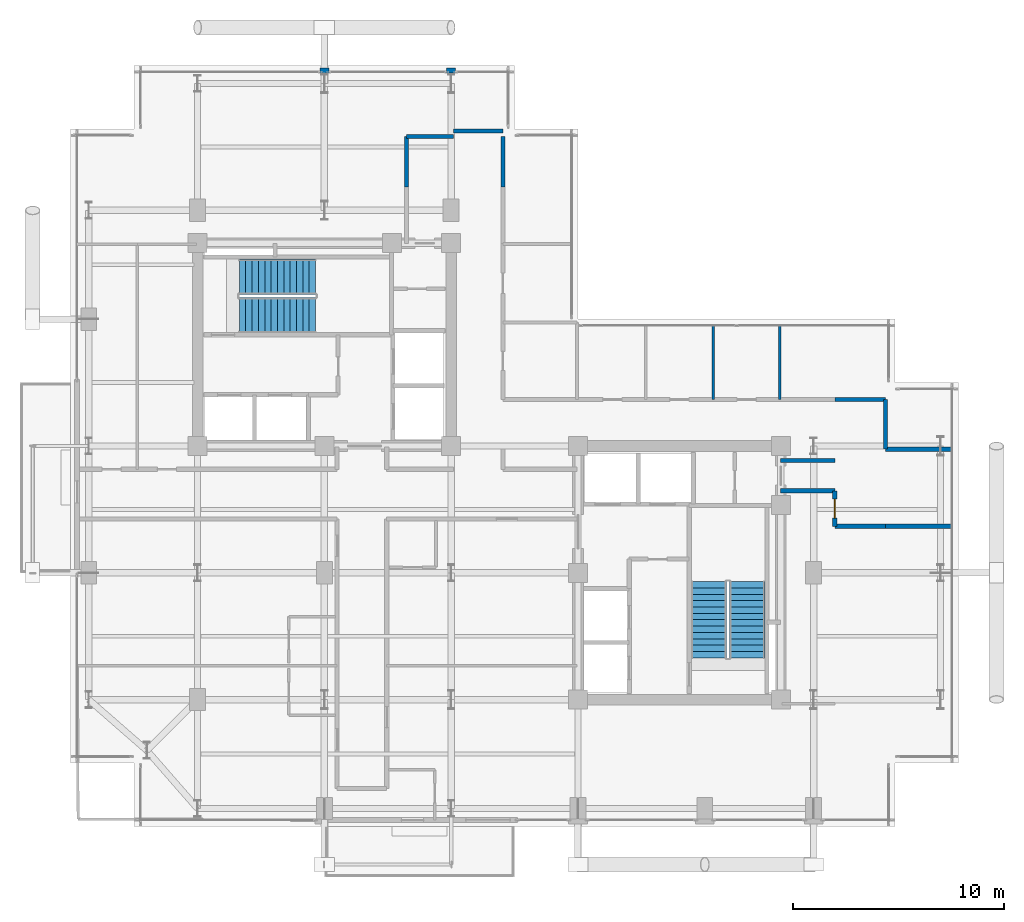
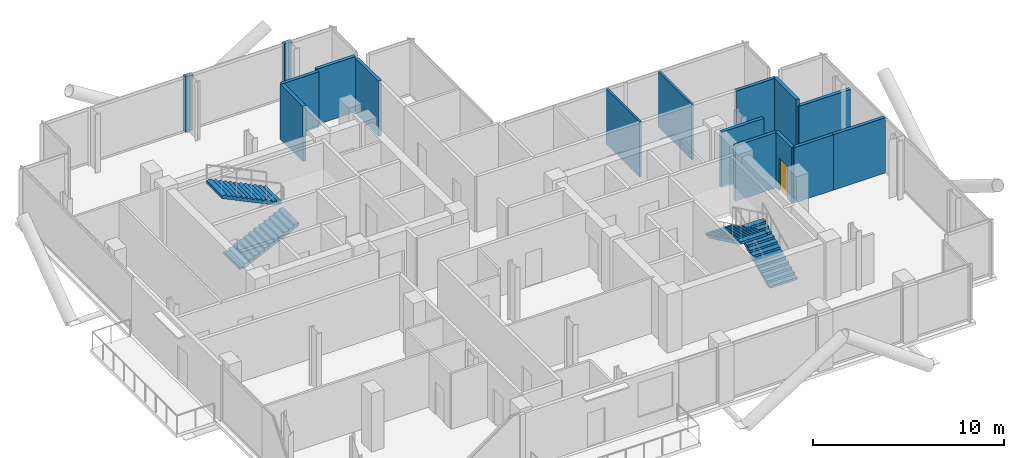
# One storey, part 19 of 21: 16 walls, 4 stair flights, 1 door, 1 opening, 2 elements without a shape of their own.
"""IFC4 building model written with IfcOpenShell, lengths in metres."""

from ifc_helpers import new_model, si_unit, direction, frame, frame_2d, origin, place, context, subcontext, project, spatial, polyline, rectangle, outline, extrude, material, layer, layer_set, type_object, element, fill, aggregate, save


model = new_model("IFC4")

# Units and contexts
model_context = context("Model", 3, precision=1e-05, world=origin(), true_north=direction((0.0, 1.0)))
body_context = subcontext(model_context, "Body", "Model", "MODEL_VIEW")
ifc_project = project(units=[si_unit("LENGTHUNIT", "METRE"), si_unit("AREAUNIT", "SQUARE_METRE"), si_unit("VOLUMEUNIT", "CUBIC_METRE"), si_unit("PLANEANGLEUNIT", "RADIAN"), si_unit("MASSUNIT", "GRAM", prefix="KILO"), si_unit("THERMODYNAMICTEMPERATUREUNIT", "KELVIN"), si_unit("POWERUNIT", "WATT")], contexts=[model_context])

# Site, building, storey
site_placement = place(None, origin())
site = spatial("IfcSite", under=ifc_project, at=site_placement, CompositionType="ELEMENT")
building_placement = place(site_placement, origin())
building = spatial("IfcBuilding", under=site, at=building_placement, Name="Svarakhadi Broadcast Tower", CompositionType="ELEMENT")
storey_placement = place(building_placement, frame((0.0, 0.0, 208.64990234375)))
storey = spatial("IfcBuildingStorey", under=building, at=storey_placement, Name="L51", CompositionType="ELEMENT", Elevation=208.64990234375)

# Walls
ifc_material_1 = material(Name="Double-Stud Acoustic Studio Partition STC-62", Category="gypsum")
ifc_layer_1 = layer(ifc_material_1, 0.199951171875)
ifc_layer_set_1 = layer_set([ifc_layer_1], Name="Double-Stud Acoustic Studio Partition STC-62")
wall_type_1 = type_object("IfcWallType", Name="Wall_Acoust_200", PredefinedType="PARTITIONING", material=ifc_layer_set_1)
wall_1_placement = place(storey_placement, frame((15.8798828125, 30.25, 0.0), z_axis=(0.0, 0.0, 1.0), x_axis=(0.0, 1.0, 0.0)))
element("IfcWall", 1, at=wall_1_placement, inside=storey, type_object=wall_type_1, Name="L51 Upper Tower Concourse Wall", PredefinedType="PARTITIONING", context=body_context, shape_type="SweptSolid", body=[
    extrude(rectangle(XDim=2.39990234375, YDim=0.199951171875, at=frame_2d((1.199951171875, 0.0))), origin(), (0.0, 0.0, 1.0), 3.5400390625),
])
wall_2_placement = place(storey_placement, frame((15.8798828125, 32.64990234375, 0.0), z_axis=(0.0, 0.0, 1.0), x_axis=(1.0, 0.0, 0.0)))
element("IfcWall", 2, at=wall_2_placement, inside=storey, type_object=wall_type_1, Name="L51 Upper Tower Concourse Wall", PredefinedType="PARTITIONING", context=body_context, shape_type="SweptSolid", body=[
    extrude(rectangle(XDim=2.22021484375, YDim=0.199951171875, at=frame_2d((1.110107421875, 0.0))), origin(), (0.0, 0.0, 1.0), 3.5400390625),
])
wall_3_placement = place(storey_placement, frame((18.10009765625, 32.89990234375, 0.0), z_axis=(0.0, 0.0, 1.0), x_axis=(1.0, 0.0, 0.0)))
element("IfcWall", 3, at=wall_3_placement, inside=storey, type_object=wall_type_1, Name="L51 Upper Tower Concourse Wall", PredefinedType="PARTITIONING", context=body_context, shape_type="SweptSolid", body=[
    extrude(rectangle(XDim=2.349853515625, YDim=0.199951171875, at=frame_2d((1.1748046875, 0.0))), origin(), (0.0, 0.0, 1.0), 3.5400390625),
])
wall_4_placement = place(storey_placement, frame((20.449951171875, 32.64990234375, 0.0), z_axis=(0.0, 0.0, 1.0), x_axis=(0.0, -1.0, 0.0)))
element("IfcWall", 4, at=wall_4_placement, inside=storey, type_object=wall_type_1, Name="L51 Upper Tower Concourse Wall", PredefinedType="PARTITIONING", context=body_context, shape_type="SweptSolid", body=[
    extrude(rectangle(XDim=2.39990234375, YDim=0.199951171875, at=frame_2d((1.199951171875, 0.0))), origin(), (0.0, 0.0, 1.0), 3.5400390625),
])
wall_5_placement = place(storey_placement, frame((36.14990234375, 20.199951171875, 0.0), z_axis=(0.0, 0.0, 1.0), x_axis=(1.0, 0.0, 0.0)))
element("IfcWall", 5, at=wall_5_placement, inside=storey, type_object=wall_type_1, Name="L51 Upper Tower Concourse Wall", PredefinedType="PARTITIONING", context=body_context, shape_type="SweptSolid", body=[
    extrude(rectangle(XDim=2.400146484375, YDim=0.199951171875, at=frame_2d((1.2001953125, 0.0))), origin(), (0.0, 0.0, 1.0), 3.5400390625),
])
wall_6_placement = place(storey_placement, frame((38.550048828125, 20.199951171875, 0.0), z_axis=(0.0, 0.0, 1.0), x_axis=(0.0, -1.0, 0.0)))
element("IfcWall", 6, at=wall_6_placement, inside=storey, type_object=wall_type_1, Name="L51 Upper Tower Concourse Wall", PredefinedType="PARTITIONING", context=body_context, shape_type="SweptSolid", body=[
    extrude(rectangle(XDim=2.349853515625, YDim=0.199951171875, at=frame_2d((1.1748046875, 0.0))), origin(), (0.0, 0.0, 1.0), 3.5400390625),
])
wall_7_placement = place(storey_placement, frame((38.550048828125, 17.85009765625, 0.0), z_axis=(0.0, 0.0, 1.0), x_axis=(1.0, 0.0, 0.0)))
element("IfcWall", 7, at=wall_7_placement, inside=storey, type_object=wall_type_1, Name="L51 Upper Tower Concourse Wall", PredefinedType="PARTITIONING", context=body_context, shape_type="SweptSolid", body=[
    extrude(rectangle(XDim=3.14990234375, YDim=0.199951171875, at=frame_2d((1.574951171875, 0.0))), origin(), (0.0, 0.0, 1.0), 3.132080078125),
])
wall_8_placement = place(storey_placement, frame((41.699951171875, 14.199951171875, 0.0), z_axis=(0.0, 0.0, 1.0), x_axis=(-1.0, 0.0, 0.0)))
element("IfcWall", 8, at=wall_8_placement, inside=storey, type_object=wall_type_1, Name="L51 Upper Tower Concourse Wall", PredefinedType="PARTITIONING", context=body_context, shape_type="SweptSolid", body=[
    extrude(rectangle(XDim=3.14990234375, YDim=0.199951171875, at=frame_2d((1.574951171875, 0.0))), origin(), (0.0, 0.0, 1.0), 3.5400390625),
])
wall_9_placement = place(storey_placement, frame((38.550048828125, 14.199951171875, 0.0), z_axis=(0.0, 0.0, 1.0), x_axis=(-1.0, 0.0, 0.0)))
element("IfcWall", 9, at=wall_9_placement, inside=storey, type_object=wall_type_1, Name="L51 Upper Tower Concourse Wall", PredefinedType="PARTITIONING", context=body_context, shape_type="SweptSolid", body=[
    extrude(rectangle(XDim=2.400146484375, YDim=0.199951171875, at=frame_2d((1.2001953125, 0.0))), origin(), (0.0, 0.0, 1.0), 3.5400390625),
])

# Wall, opening, door
wall_10_placement = place(storey_placement, frame((36.14990234375, 14.199951171875, 0.0), z_axis=(0.0, 0.0, 1.0), x_axis=(0.0, 1.0, 0.0)))
wall_10 = element("IfcWall", 10, at=wall_10_placement, inside=storey, type_object=wall_type_1, Name="L51 Upper Tower Concourse Wall", PredefinedType="PARTITIONING", context=body_context, shape_type="SweptSolid", body=[
    extrude(rectangle(XDim=1.679931640625, YDim=0.199951171875, at=frame_2d((0.83984375, 0.0))), origin(), (0.0, 0.0, 1.0), 3.5400390625),
])
opening_placement = place(wall_10_placement, frame((0.389892578125, 0.0, 0.0)))
opening = element("IfcOpeningElement", 11, at=opening_placement, cuts=wall_10, Name="Opening D-15", PredefinedType="OPENING", context=body_context, shape_type="SweptSolid", body=[
    extrude(rectangle(XDim=0.89990234375, YDim=2.10009765625, at=frame_2d((0.449951171875, 1.050048828125))), frame((0.0, 0.10986328125, 0.0), z_axis=(0.0, -1.0, 0.0), x_axis=(1.0, 0.0, 0.0)), (0.0, 0.0, 1.0), 0.219970703125),
])
ifc_material_2 = material(Name="Solid-Core Teak Veneer Acoustic Timber Leaf", Category="wood")
door_type = type_object("IfcDoorType", Name="Door_Int_D15", OperationType="SINGLE_SWING_RIGHT", PredefinedType="DOOR", material=ifc_material_2)
door_placement = place(opening_placement, origin())
door = element("IfcDoor", 12, at=door_placement, inside=storey, type_object=door_type, Name="L51 Harbour Club Reading Salon Door", OperationType="SINGLE_SWING_RIGHT", OverallHeight=2.10009765625, OverallWidth=0.89990234375, PredefinedType="DOOR", context=body_context, shape_type="SweptSolid", body=[
    extrude(rectangle(XDim=0.89990234375, YDim=2.10009765625, at=frame_2d((0.449951171875, 1.050048828125))), frame((0.0, 0.02490234375, 0.0), z_axis=(0.0, -1.0, 0.0), x_axis=(1.0, 0.0, 0.0)), (0.0, 0.0, 1.0), 0.050048828125),
])
fill(opening, door)

# Walls
for number, where, z_axis, x_axis, name in (
    (13, (36.14990234375, 15.8798828125, 0.0), (0.0, 0.0, 1.0), (-1.0, 0.0, 0.0), "L51 Upper Tower Concourse Wall"),
    (14, (33.580078125, 17.320068359375, 0.0), (0.0, 0.0, 1.0), (1.0, 0.0, 0.0), "L51 Upper Tower Concourse Wall"),
):
    element("IfcWall", number, at=place(storey_placement, frame(where, z_axis=z_axis, x_axis=x_axis)), inside=storey, type_object=wall_type_1, Name=name, PredefinedType="PARTITIONING", context=body_context, shape_type="SweptSolid", body=[
        extrude(rectangle(XDim=2.56982421875, YDim=0.199951171875, at=frame_2d((1.284912109375, 0.0))), origin(), (0.0, 0.0, 1.0), 3.5400390625),
    ])
ifc_material_3 = material(Name="Concrete C40/50 (IS 456 M50)", Category="concrete")
ifc_layer_2 = layer(ifc_material_3, 0.239990234375)
ifc_layer_set_2 = layer_set([ifc_layer_2], Name="Concrete C40/50 (IS 456 M50)")
wall_type_2 = type_object("IfcWallType", Name="Wall_Ext_240", PredefinedType="SOLIDWALL", material=ifc_layer_set_2)
for number, where, z_axis, x_axis, name in (
    (15, (11.784912109375, 35.760009765625, 0.0), (0.0, 0.0, 1.0), (1.0, 0.0, 0.0), "L51 Perimeter Bronze Spandrel Closure Wall 01"),
    (16, (17.784912109375, 35.760009765625, 0.0), (0.0, 0.0, 1.0), (1.0, 0.0, 0.0), "L51 Perimeter Bronze Spandrel Closure Wall 02"),
):
    element("IfcWall", number, at=place(storey_placement, frame(where, z_axis=z_axis, x_axis=x_axis)), inside=storey, type_object=wall_type_2, Name=name, PredefinedType="SOLIDWALL", context=body_context, shape_type="SweptSolid", body=[
        extrude(rectangle(XDim=0.43017578125, YDim=0.239990234375, at=frame_2d((0.215087890625, 0.0))), origin(), (0.0, 0.0, 1.0), 3.5400390625),
    ])
ifc_material_4 = material(Name="Fire-Rated Moisture-Resistant Gypsum Board Partition", Category="gypsum")
ifc_layer_3 = layer(ifc_material_4, 0.125)
ifc_layer_set_3 = layer_set([ifc_layer_3], Name="Fire-Rated Moisture-Resistant Gypsum Board Partition")
wall_type_3 = type_object("IfcWallType", Name="Wall_Part_125", PredefinedType="PARTITIONING", material=ifc_layer_set_3)
for number, where, z_axis, x_axis, name in (
    (17, (30.39990234375, 20.199951171875, 0.0), (0.0, 0.0, 1.0), (0.0, 1.0, 0.0), "L51 Private Sommelier Tasting Pantry Wall"),
    (18, (33.550048828125, 20.199951171875, 0.0), (0.0, 0.0, 1.0), (0.0, 1.0, 0.0), "L51 VIP Guest Concierge Office Wall"),
):
    element("IfcWall", number, at=place(storey_placement, frame(where, z_axis=z_axis, x_axis=x_axis)), inside=storey, type_object=wall_type_3, Name=name, PredefinedType="PARTITIONING", context=body_context, shape_type="SweptSolid", body=[
        extrude(rectangle(XDim=3.5, YDim=0.125, at=frame_2d((1.75, 0.0))), origin(), (0.0, 0.0, 1.0), 3.5400390625),
    ])

# Stair, stair flights
stair_type = type_object("IfcStairType", Name="Stair_Exit_Core", PredefinedType="HALF_TURN_STAIR", material=ifc_material_3)
stair_1_placement = place(storey_placement, origin())
stair_1 = element("IfcStair", 19, at=stair_1_placement, inside=storey, type_object=stair_type, Name="L51 West Core Protected Exit Stair ST-01", PredefinedType="HALF_TURN_STAIR")
stair_flight_type = type_object("IfcStairFlightType", Name="Flight_RC_1680", PredefinedType="STRAIGHT", material=ifc_material_3)
stair_flight_1_placement = place(storey_placement, frame((7.97998046875, 24.18994140625, 0.0), z_axis=(0.0, 0.0, 1.0), x_axis=(1.0, 0.0, 0.0)))
stair_flight_1 = element("IfcStairFlight", 20, at=stair_flight_1_placement, type_object=stair_flight_type, Name="ST-01 flight 1", NumberOfRisers=13, NumberOfTreads=12, PredefinedType="STRAIGHT", RiserHeight=0.144230769, TreadLength=0.3, context=body_context, shape_type="SweptSolid", body=[
    extrude(outline(polyline([(0.0, 0.0), (0.0, 0.144287109375), (0.300048828125, 0.144287109375), (0.300048828125, 0.28857421875), (0.60009765625, 0.28857421875), (0.60009765625, 0.4326171875), (0.89990234375, 0.4326171875), (0.89990234375, 0.576904296875), (1.199951171875, 0.576904296875), (1.199951171875, 0.72119140625), (1.5, 0.72119140625), (1.5, 0.865478515625), (1.800048828125, 0.865478515625), (1.800048828125, 1.009521484375), (2.10009765625, 1.009521484375), (2.10009765625, 1.15380859375), (2.39990234375, 1.15380859375), (2.39990234375, 1.298095703125), (2.699951171875, 1.298095703125), (2.699951171875, 1.4423828125), (3.0, 1.4423828125), (3.0, 1.58642578125), (3.300048828125, 1.58642578125), (3.300048828125, 1.730712890625), (3.60009765625, 1.730712890625), (3.60009765625, 1.875), (3.60009765625, 1.564453125), (0.345947265625, 0.0), (0.0, 0.0)])), frame((0.0, 0.830078125, 0.0), z_axis=(0.0, -1.0, 0.0), x_axis=(1.0, 0.0, 0.0)), (0.0, 0.0, 1.0), 1.659912109375),
])
stair_flight_2_placement = place(storey_placement, frame((11.580078125, 26.010009765625, 1.875), z_axis=(0.0, 0.0, 1.0), x_axis=(-1.0, 0.0, 0.0)))
stair_flight_2 = element("IfcStairFlight", 21, at=stair_flight_2_placement, type_object=stair_flight_type, Name="ST-01 flight 2", NumberOfRisers=13, NumberOfTreads=12, PredefinedType="STRAIGHT", RiserHeight=0.144230769, TreadLength=0.3, context=body_context, shape_type="SweptSolid", body=[
    extrude(outline(polyline([(0.0, 0.0), (0.0, 0.144287109375), (0.300048828125, 0.144287109375), (0.300048828125, 0.28857421875), (0.60009765625, 0.28857421875), (0.60009765625, 0.4326171875), (0.89990234375, 0.4326171875), (0.89990234375, 0.576904296875), (1.199951171875, 0.576904296875), (1.199951171875, 0.72119140625), (1.5, 0.72119140625), (1.5, 0.865478515625), (1.800048828125, 0.865478515625), (1.800048828125, 1.009521484375), (2.10009765625, 1.009521484375), (2.10009765625, 1.15380859375), (2.39990234375, 1.15380859375), (2.39990234375, 1.298095703125), (2.699951171875, 1.298095703125), (2.699951171875, 1.4423828125), (3.0, 1.4423828125), (3.0, 1.58642578125), (3.300048828125, 1.58642578125), (3.300048828125, 1.730712890625), (3.60009765625, 1.730712890625), (3.60009765625, 1.875), (3.60009765625, 1.564453125), (0.345947265625, 0.0), (0.0, 0.0)])), frame((0.0, 0.830078125, 0.0), z_axis=(0.0, -1.0, 0.0), x_axis=(1.0, 0.0, 0.0)), (0.0, 0.0, 1.0), 1.659912109375),
])
aggregate(stair_1, [stair_flight_1, stair_flight_2])

stair_2_placement = place(storey_placement, origin())
stair_2 = element("IfcStair", 22, at=stair_2_placement, inside=storey, type_object=stair_type, Name="L51 East Core Protected Exit Stair ST-02", PredefinedType="HALF_TURN_STAIR")
stair_flight_3_placement = place(storey_placement, frame((32.010009765625, 7.97998046875, 0.0), z_axis=(0.0, 0.0, 1.0), x_axis=(0.0, 1.0, 0.0)))
stair_flight_3 = element("IfcStairFlight", 23, at=stair_flight_3_placement, type_object=stair_flight_type, Name="ST-02 flight 1", NumberOfRisers=13, NumberOfTreads=12, PredefinedType="STRAIGHT", RiserHeight=0.144230769, TreadLength=0.3, context=body_context, shape_type="SweptSolid", body=[
    extrude(outline(polyline([(0.0, 0.0), (0.0, 0.144287109375), (0.300048828125, 0.144287109375), (0.300048828125, 0.28857421875), (0.60009765625, 0.28857421875), (0.60009765625, 0.4326171875), (0.89990234375, 0.4326171875), (0.89990234375, 0.576904296875), (1.199951171875, 0.576904296875), (1.199951171875, 0.72119140625), (1.5, 0.72119140625), (1.5, 0.865478515625), (1.800048828125, 0.865478515625), (1.800048828125, 1.009521484375), (2.10009765625, 1.009521484375), (2.10009765625, 1.15380859375), (2.39990234375, 1.15380859375), (2.39990234375, 1.298095703125), (2.699951171875, 1.298095703125), (2.699951171875, 1.4423828125), (3.0, 1.4423828125), (3.0, 1.58642578125), (3.300048828125, 1.58642578125), (3.300048828125, 1.730712890625), (3.60009765625, 1.730712890625), (3.60009765625, 1.875), (3.60009765625, 1.564453125), (0.345947265625, 0.0), (0.0, 0.0)])), frame((0.0, 0.830078125, 0.0), z_axis=(0.0, -1.0, 0.0), x_axis=(1.0, 0.0, 0.0)), (0.0, 0.0, 1.0), 1.659912109375),
])
stair_flight_4_placement = place(storey_placement, frame((30.18994140625, 11.580078125, 1.875), z_axis=(0.0, 0.0, 1.0), x_axis=(0.0, -1.0, 0.0)))
stair_flight_4 = element("IfcStairFlight", 24, at=stair_flight_4_placement, type_object=stair_flight_type, Name="ST-02 flight 2", NumberOfRisers=13, NumberOfTreads=12, PredefinedType="STRAIGHT", RiserHeight=0.144230769, TreadLength=0.3, context=body_context, shape_type="SweptSolid", body=[
    extrude(outline(polyline([(0.0, 0.0), (0.0, 0.144287109375), (0.300048828125, 0.144287109375), (0.300048828125, 0.28857421875), (0.60009765625, 0.28857421875), (0.60009765625, 0.4326171875), (0.89990234375, 0.4326171875), (0.89990234375, 0.576904296875), (1.199951171875, 0.576904296875), (1.199951171875, 0.72119140625), (1.5, 0.72119140625), (1.5, 0.865478515625), (1.800048828125, 0.865478515625), (1.800048828125, 1.009521484375), (2.10009765625, 1.009521484375), (2.10009765625, 1.15380859375), (2.39990234375, 1.15380859375), (2.39990234375, 1.298095703125), (2.699951171875, 1.298095703125), (2.699951171875, 1.4423828125), (3.0, 1.4423828125), (3.0, 1.58642578125), (3.300048828125, 1.58642578125), (3.300048828125, 1.730712890625), (3.60009765625, 1.730712890625), (3.60009765625, 1.875), (3.60009765625, 1.564453125), (0.345947265625, 0.0), (0.0, 0.0)])), frame((0.0, 0.830078125, 0.0), z_axis=(0.0, -1.0, 0.0), x_axis=(1.0, 0.0, 0.0)), (0.0, 0.0, 1.0), 1.659912109375),
])
aggregate(stair_2, [stair_flight_3, stair_flight_4])

save(model, "model.ifc")
